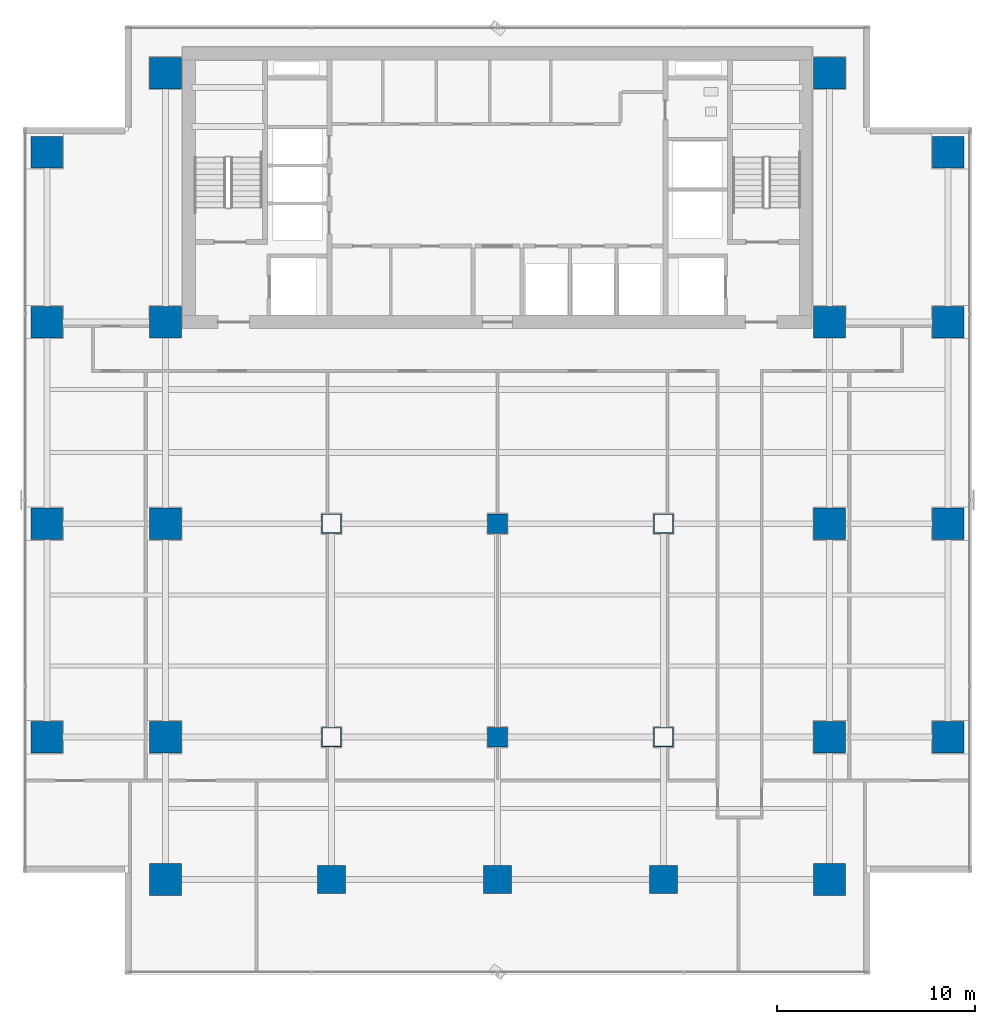
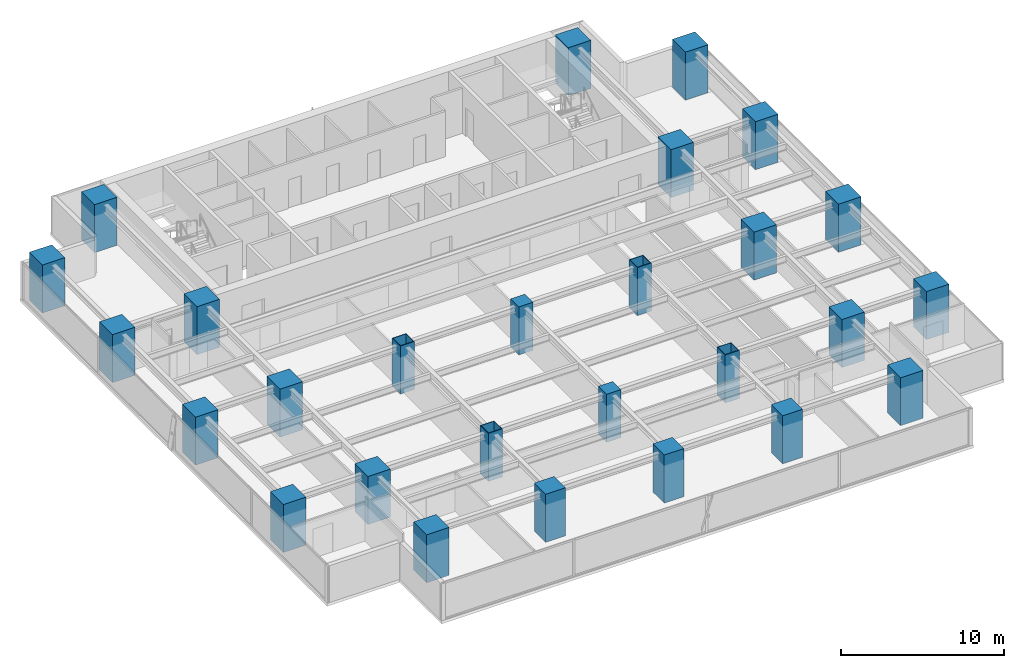
# One storey, part 1 of 28: 27 columns.
"""IFC4 building model written with IfcOpenShell, lengths in metres."""

from ifc_helpers import new_model, si_unit, direction, frame, origin, origin_2d, place, context, subcontext, project, spatial, rectangle, hollow_rectangle, extrude, source, transform, mapped, material, material_profile, profile_set, type_object, element, save


model = new_model("IFC4")

# Units and contexts
model_context = context("Model", 3, precision=1e-05, world=origin(), true_north=direction((0.0, 1.0)))
body_context = subcontext(model_context, "Body", "Model", "MODEL_VIEW")
ifc_project = project(units=[si_unit("LENGTHUNIT", "METRE"), si_unit("AREAUNIT", "SQUARE_METRE"), si_unit("VOLUMEUNIT", "CUBIC_METRE"), si_unit("PLANEANGLEUNIT", "RADIAN"), si_unit("MASSUNIT", "GRAM", prefix="KILO")], contexts=[model_context])

# Site, building, storey
site_placement = place(None, origin())
site = spatial("IfcSite", under=ifc_project, at=site_placement, CompositionType="ELEMENT")
building_placement = place(site_placement, origin())
building = spatial("IfcBuilding", under=site, at=building_placement, Name="Sumidabori Civic Tower", CompositionType="ELEMENT")
storey_placement = place(building_placement, frame((0.0, 0.0, 178.39990234375)))
storey = spatial("IfcBuildingStorey", under=building, at=storey_placement, Name="L46", CompositionType="ELEMENT", Elevation=178.39990234375)

# Columns
ifc_material_1 = material(Name="Concrete C60/75", Category="concrete")
ifc_material_profile_1 = material_profile(ifc_material_1, rectangle(XDim=1.60009765625, YDim=1.60009765625, at=origin_2d()), Name="RC 1600x1600")
ifc_profile_set_1 = profile_set([ifc_material_profile_1], Name="Concrete C60/75")
column_type_1 = type_object("IfcColumnType", Name="CL-MEGA-1600", PredefinedType="COLUMN", material=ifc_profile_set_1)
shared_shape_1 = source(origin(), body_context, "Body", "SweptSolid", [
    extrude(rectangle(XDim=1.60009765625, YDim=1.60009765625, at=origin_2d()), origin(), (0.0, 0.0, 1.0), 3.60009765625),
])
for number, where, z_axis, x_axis, name in (
    (1, (-16.800048828125, -18.0, 0.0), (0.0, 0.0, 1.0), (1.0, 0.0, 0.0), "Column MC-W16-Y18S L46"),
    (2, (-16.800048828125, -10.800048828125, 0.0), (0.0, 0.0, 1.0), (1.0, 0.0, 0.0), "Column MC-W16-Y11S L46"),
    (3, (-16.800048828125, 0.0, 0.0), (0.0, 0.0, 1.0), (1.0, 0.0, 0.0), "Column MC-W16-Y00 L46"),
    (4, (-16.800048828125, 10.199951171875, 0.0), (0.0, 0.0, 1.0), (1.0, 0.0, 0.0), "Column MC-W16-Y10N L46"),
    (5, (-16.800048828125, 22.800048828125, 0.0), (0.0, 0.0, 1.0), (1.0, 0.0, 0.0), "Column MC-W16-Y23N L46"),
    (6, (16.800048828125, -18.0, 0.0), (0.0, 0.0, 1.0), (1.0, 0.0, 0.0), "Column MC-E16-Y18S L46"),
    (7, (16.800048828125, -10.800048828125, 0.0), (0.0, 0.0, 1.0), (1.0, 0.0, 0.0), "Column MC-E16-Y11S L46"),
    (8, (16.800048828125, 0.0, 0.0), (0.0, 0.0, 1.0), (1.0, 0.0, 0.0), "Column MC-E16-Y00 L46"),
    (9, (16.800048828125, 10.199951171875, 0.0), (0.0, 0.0, 1.0), (1.0, 0.0, 0.0), "Column MC-E16-Y10N L46"),
    (10, (16.800048828125, 22.800048828125, 0.0), (0.0, 0.0, 1.0), (1.0, 0.0, 0.0), "Column MC-E16-Y23N L46"),
    (11, (-22.800048828125, -10.800048828125, 0.0), (0.0, 0.0, 1.0), (1.0, 0.0, 0.0), "Column MC-W23-Y11S L46"),
    (12, (-22.800048828125, 0.0, 0.0), (0.0, 0.0, 1.0), (1.0, 0.0, 0.0), "Column MC-W23-Y00 L46"),
    (13, (-22.800048828125, 10.199951171875, 0.0), (0.0, 0.0, 1.0), (1.0, 0.0, 0.0), "Column MC-W23-Y10N L46"),
    (14, (-22.800048828125, 18.800048828125, 0.0), (0.0, 0.0, 1.0), (1.0, 0.0, 0.0), "Column MC-W23-Y19N L46"),
    (15, (22.800048828125, -10.800048828125, 0.0), (0.0, 0.0, 1.0), (1.0, 0.0, 0.0), "Column MC-E23-Y11S L46"),
    (16, (22.800048828125, 0.0, 0.0), (0.0, 0.0, 1.0), (1.0, 0.0, 0.0), "Column MC-E23-Y00 L46"),
    (17, (22.800048828125, 10.199951171875, 0.0), (0.0, 0.0, 1.0), (1.0, 0.0, 0.0), "Column MC-E23-Y10N L46"),
    (18, (22.800048828125, 18.800048828125, 0.0), (0.0, 0.0, 1.0), (1.0, 0.0, 0.0), "Column MC-E23-Y19N L46"),
):
    element("IfcColumn", number, at=place(storey_placement, frame(where, z_axis=z_axis, x_axis=x_axis)), inside=storey, type_object=column_type_1, Name=name, PredefinedType="COLUMN", context=body_context, shape_type="MappedRepresentation", body=[
        mapped(shared_shape_1, transform((0.0, 0.0, 0.0), x_axis=(1.0, 0.0, 0.0), y_axis=(0.0, 1.0, 0.0), z_axis=(0.0, 0.0, 1.0), scale=1.0)),
    ])
ifc_material_2 = material(Name="Steel SM570", Category="steel")
ifc_material_profile_2 = material_profile(ifc_material_2, hollow_rectangle(XDim=1.0, YDim=1.0, WallThickness=0.044921875, at=origin_2d()), Name="SHS 1000x1000x45")
ifc_profile_set_2 = profile_set([ifc_material_profile_2], Name="Steel SM570")
column_type_2 = type_object("IfcColumnType", Name="CL-PORTAL-SHS1000", PredefinedType="COLUMN", material=ifc_profile_set_2)
shared_shape_2 = source(origin(), body_context, "Body", "SweptSolid", [
    extrude(hollow_rectangle(XDim=1.0, YDim=1.0, WallThickness=0.044921875, at=origin_2d()), origin(), (0.0, 0.0, 1.0), 3.60009765625),
])
for number, where, z_axis, x_axis, name in (
    (19, (-8.39990234375, 0.0, 0.0), (0.0, 0.0, 1.0), (1.0, 0.0, 0.0), "Column MC-W08-Y00 L46"),
    (20, (-8.39990234375, -10.800048828125, 0.0), (0.0, 0.0, 1.0), (1.0, 0.0, 0.0), "Column MC-W08-Y11S L46"),
    (21, (8.39990234375, 0.0, 0.0), (0.0, 0.0, 1.0), (1.0, 0.0, 0.0), "Column MC-E08-Y00 L46"),
    (22, (8.39990234375, -10.800048828125, 0.0), (0.0, 0.0, 1.0), (1.0, 0.0, 0.0), "Column MC-E08-Y11S L46"),
):
    element("IfcColumn", number, at=place(storey_placement, frame(where, z_axis=z_axis, x_axis=x_axis)), inside=storey, type_object=column_type_2, Name=name, PredefinedType="COLUMN", context=body_context, shape_type="MappedRepresentation", body=[
        mapped(shared_shape_2, transform((0.0, 0.0, 0.0), x_axis=(1.0, 0.0, 0.0), y_axis=(0.0, 1.0, 0.0), z_axis=(0.0, 0.0, 1.0), scale=1.0)),
    ])
ifc_material_profile_3 = material_profile(ifc_material_1, rectangle(XDim=1.39990234375, YDim=1.39990234375, at=origin_2d()), Name="RC 1400x1400")
ifc_profile_set_3 = profile_set([ifc_material_profile_3], Name="Concrete C60/75")
column_type_3 = type_object("IfcColumnType", Name="CL-MEGA-1400", PredefinedType="COLUMN", material=ifc_profile_set_3)
shared_shape_3 = source(origin(), body_context, "Body", "SweptSolid", [
    extrude(rectangle(XDim=1.39990234375, YDim=1.39990234375, at=origin_2d()), origin(), (0.0, 0.0, 1.0), 3.60009765625),
])
for number, where, z_axis, x_axis, name in (
    (23, (-8.39990234375, -18.0, 0.0), (0.0, 0.0, 1.0), (1.0, 0.0, 0.0), "Column MC-W08-Y18S L46"),
    (24, (8.39990234375, -18.0, 0.0), (0.0, 0.0, 1.0), (1.0, 0.0, 0.0), "Column MC-E08-Y18S L46"),
    (25, (0.0, -18.0, 0.0), (0.0, 0.0, 1.0), (1.0, 0.0, 0.0), "Column MC-C00-Y18S L46"),
):
    element("IfcColumn", number, at=place(storey_placement, frame(where, z_axis=z_axis, x_axis=x_axis)), inside=storey, type_object=column_type_3, Name=name, PredefinedType="COLUMN", context=body_context, shape_type="MappedRepresentation", body=[
        mapped(shared_shape_3, transform((0.0, 0.0, 0.0), x_axis=(1.0, 0.0, 0.0), y_axis=(0.0, 1.0, 0.0), z_axis=(0.0, 0.0, 1.0), scale=1.0)),
    ])
ifc_material_3 = material(Name="Concrete C50/60", Category="concrete")
ifc_material_profile_4 = material_profile(ifc_material_3, rectangle(XDim=1.0, YDim=1.0, at=origin_2d()), Name="RC 1000x1000")
ifc_profile_set_4 = profile_set([ifc_material_profile_4], Name="Concrete C50/60")
column_type_4 = type_object("IfcColumnType", Name="CL-INT-1000", PredefinedType="COLUMN", material=ifc_profile_set_4)
shared_shape_4 = source(origin(), body_context, "Body", "SweptSolid", [
    extrude(rectangle(XDim=1.0, YDim=1.0, at=origin_2d()), origin(), (0.0, 0.0, 1.0), 3.60009765625),
])
for number, where, z_axis, x_axis, name in (
    (26, (0.0, -10.800048828125, 0.0), (0.0, 0.0, 1.0), (1.0, 0.0, 0.0), "Column MC-C00-Y11S L46"),
    (27, (0.0, 0.0, 0.0), (0.0, 0.0, 1.0), (1.0, 0.0, 0.0), "Column MC-C00-Y00 L46"),
):
    element("IfcColumn", number, at=place(storey_placement, frame(where, z_axis=z_axis, x_axis=x_axis)), inside=storey, type_object=column_type_4, Name=name, PredefinedType="COLUMN", context=body_context, shape_type="MappedRepresentation", body=[
        mapped(shared_shape_4, transform((0.0, 0.0, 0.0), x_axis=(1.0, 0.0, 0.0), y_axis=(0.0, 1.0, 0.0), z_axis=(0.0, 0.0, 1.0), scale=1.0)),
    ])

save(model, "model.ifc")
